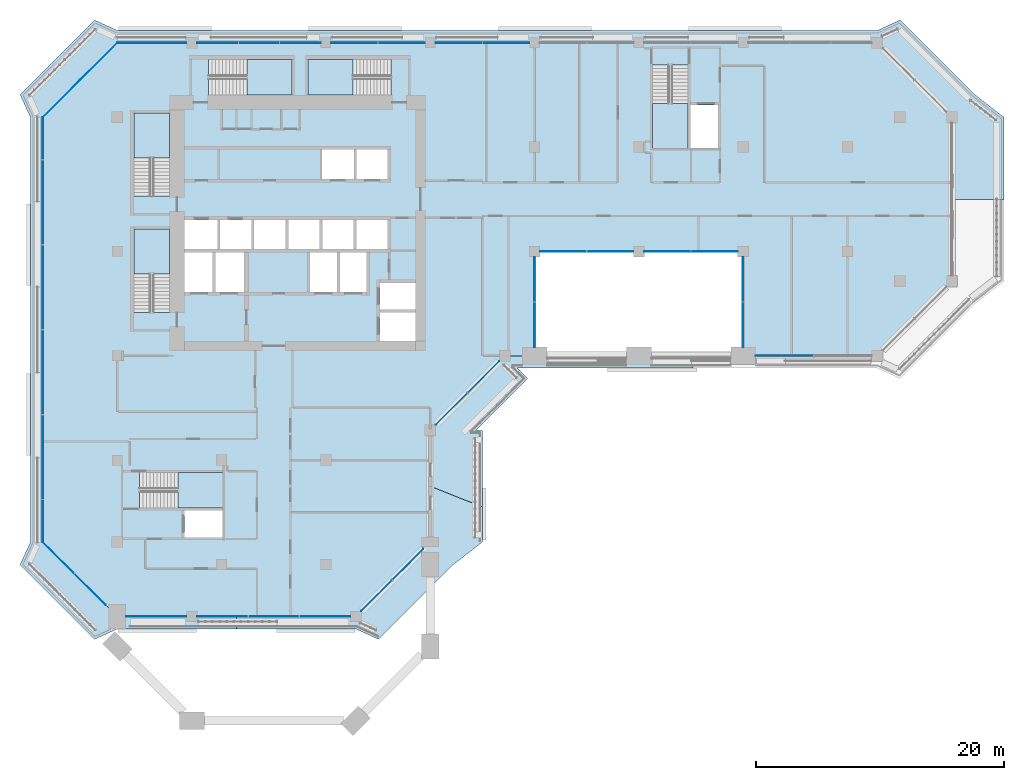
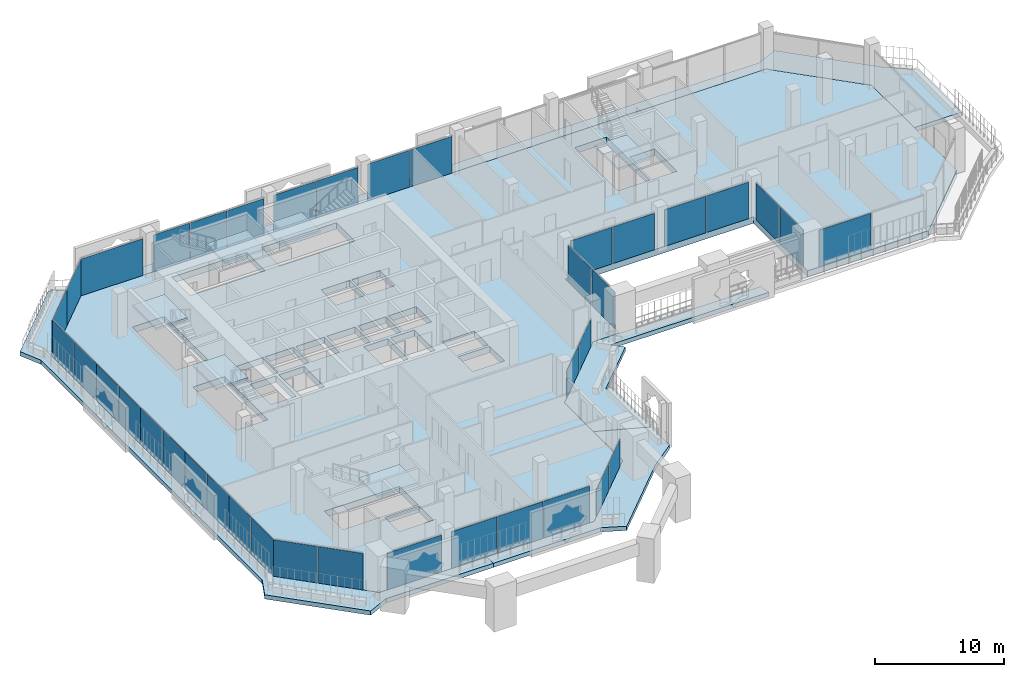
# One storey, part 10 of 23: 39 plates, 10 slabs, 17 elements without a shape of their own.
"""IFC4 building model written with IfcOpenShell, lengths in metres."""

from ifc_helpers import new_model, si_unit, direction, frame, origin, origin_2d, place, context, subcontext, project, spatial, polyline, rectangle, outline, extrude, material, layer, layer_set, type_object, element, aggregate, save


model = new_model("IFC4")

# Units and contexts
model_context = context("Model", 3, precision=1e-05, world=origin(), true_north=direction((0.0, 1.0)))
body_context = subcontext(model_context, "Body", "Model", "MODEL_VIEW")
ifc_project = project(units=[si_unit("LENGTHUNIT", "METRE"), si_unit("AREAUNIT", "SQUARE_METRE"), si_unit("VOLUMEUNIT", "CUBIC_METRE"), si_unit("PLANEANGLEUNIT", "RADIAN"), si_unit("MASSUNIT", "GRAM", prefix="KILO")], contexts=[model_context])

# Site, building, storey
site_placement = place(None, origin())
site = spatial("IfcSite", under=ifc_project, at=site_placement, CompositionType="ELEMENT")
building_placement = place(site_placement, origin())
building = spatial("IfcBuilding", under=site, at=building_placement, Name="Kawkab Arch Medical Tower", CompositionType="ELEMENT")
storey_placement = place(building_placement, frame((0.0, 0.0, 226.39990234375)))
storey = spatial("IfcBuildingStorey", under=building, at=storey_placement, Name="L52", CompositionType="ELEMENT", Elevation=226.39990234375)

# Curtain wall, plate
ifc_material_1 = material(Name="Bronze anodised aluminium curtain wall frame", Category="aluminium")
ifc_layer_1 = layer(ifc_material_1, 0.159912109375)
ifc_layer_set_1 = layer_set([ifc_layer_1], Name="Bronze anodised aluminium curtain wall frame")
curtain_wall_type_1 = type_object("IfcCurtainWallType", Name="CW1 ward curtain wall", PredefinedType="NOTDEFINED", material=ifc_layer_set_1)
placement_1 = place(storey_placement, origin())
curtain_wall_1 = element("IfcCurtainWall", 1, at=placement_1, inside=storey, type_object=curtain_wall_type_1, Name="CW1 Ward curtain wall R05", PredefinedType="NOTDEFINED")
ifc_material_2 = material(Name="Tinted insulating glass, bronze low-e coating", Category="glass")
ifc_layer_2 = layer(ifc_material_2, 0.031982421875)
ifc_layer_set_2 = layer_set([ifc_layer_2], Name="Tinted insulating glass, bronze low-e coating")
plate_type_1 = type_object("IfcPlateType", Name="CW1 glazing unit 32", PredefinedType="CURTAIN_PANEL", material=ifc_layer_set_2)
plate_1_placement = place(storey_placement, frame((53.722412109375, -25.199951171875, 0.0), z_axis=(0.0, 0.0, 1.0), x_axis=(1.0, 0.0, 0.0)))
plate_1 = element("IfcPlate", 2, at=plate_1_placement, type_object=plate_type_1, Name="CW1 glazing unit 1.1", PredefinedType="CURTAIN_PANEL", context=body_context, shape_type="SweptSolid", body=[
    extrude(rectangle(XDim=4.64501953125, YDim=0.031982421875, at=origin_2d()), origin(), (0.0, 0.0, 1.0), 3.47998046875),
])
aggregate(curtain_wall_1, [plate_1])

# Curtain wall, plates
curtain_wall_2 = element("IfcCurtainWall", 3, at=placement_1, inside=storey, type_object=curtain_wall_type_1, Name="CW1 Ward curtain wall R09", PredefinedType="NOTDEFINED")
plate_2_placement = place(storey_placement, frame((31.302490234375, 0.0, 0.0), z_axis=(0.0, 0.0, 1.0), x_axis=(-1.0, 0.0, 0.0)))
plate_2 = element("IfcPlate", 4, at=plate_2_placement, type_object=plate_type_1, Name="CW1 glazing unit 4.1", PredefinedType="CURTAIN_PANEL", context=body_context, shape_type="SweptSolid", body=[
    extrude(rectangle(XDim=3.7451171875, YDim=0.031982421875, at=origin_2d()), origin(), (0.0, 0.0, 1.0), 3.47998046875),
])
plate_3_placement = place(storey_placement, frame((27.49755859375, 0.0, 0.0), z_axis=(0.0, 0.0, 1.0), x_axis=(-1.0, 0.0, 0.0)))
plate_3 = element("IfcPlate", 5, at=plate_3_placement, type_object=plate_type_1, Name="CW1 glazing unit 4.2", PredefinedType="CURTAIN_PANEL", context=body_context, shape_type="SweptSolid", body=[
    extrude(rectangle(XDim=3.7451171875, YDim=0.031982421875, at=origin_2d()), origin(), (0.0, 0.0, 1.0), 3.47998046875),
])
plate_4_placement = place(storey_placement, frame((22.902587890625, 0.0, 0.0), z_axis=(0.0, 0.0, 1.0), x_axis=(-1.0, 0.0, 0.0)))
plate_4 = element("IfcPlate", 6, at=plate_4_placement, type_object=plate_type_1, Name="CW1 glazing unit 5.1", PredefinedType="CURTAIN_PANEL", context=body_context, shape_type="SweptSolid", body=[
    extrude(rectangle(XDim=3.7451171875, YDim=0.031982421875, at=origin_2d()), origin(), (0.0, 0.0, 1.0), 3.47998046875),
])
plate_5_placement = place(storey_placement, frame((19.097412109375, 0.0, 0.0), z_axis=(0.0, 0.0, 1.0), x_axis=(-1.0, 0.0, 0.0)))
plate_5 = element("IfcPlate", 7, at=plate_5_placement, type_object=plate_type_1, Name="CW1 glazing unit 5.2", PredefinedType="CURTAIN_PANEL", context=body_context, shape_type="SweptSolid", body=[
    extrude(rectangle(XDim=3.7451171875, YDim=0.031982421875, at=origin_2d()), origin(), (0.0, 0.0, 1.0), 3.47998046875),
])
plate_6_placement = place(storey_placement, frame((14.73583984375, 0.0, 0.0), z_axis=(0.0, 0.0, 1.0), x_axis=(-1.0, 0.0, 0.0)))
plate_6 = element("IfcPlate", 8, at=plate_6_placement, type_object=plate_type_1, Name="CW1 glazing unit 6.1", PredefinedType="CURTAIN_PANEL", context=body_context, shape_type="SweptSolid", body=[
    extrude(rectangle(XDim=3.2783203125, YDim=0.031982421875, at=origin_2d()), origin(), (0.0, 0.0, 1.0), 3.47998046875),
])
plate_7_placement = place(storey_placement, frame((11.41259765625, 0.0, 0.0), z_axis=(0.0, 0.0, 1.0), x_axis=(-1.0, 0.0, 0.0)))
plate_7 = element("IfcPlate", 9, at=plate_7_placement, type_object=plate_type_1, Name="CW1 glazing unit 6.2", PredefinedType="CURTAIN_PANEL", context=body_context, shape_type="SweptSolid", body=[
    extrude(rectangle(XDim=3.248291015625, YDim=0.031982421875, at=origin_2d()), origin(), (0.0, 0.0, 1.0), 3.47998046875),
])
plate_8_placement = place(storey_placement, frame((8.089111328125, 0.0, 0.0), z_axis=(0.0, 0.0, 1.0), x_axis=(-1.0, 0.0, 0.0)))
plate_8 = element("IfcPlate", 10, at=plate_8_placement, type_object=plate_type_1, Name="CW1 glazing unit 6.3", PredefinedType="CURTAIN_PANEL", context=body_context, shape_type="SweptSolid", body=[
    extrude(rectangle(XDim=3.2783203125, YDim=0.031982421875, at=origin_2d()), origin(), (0.0, 0.0, 1.0), 3.47998046875),
])
plate_9_placement = place(storey_placement, frame((2.77490234375, 0.0, 0.0), z_axis=(0.0, 0.0, 1.0), x_axis=(-1.0, 0.0, 0.0)))
plate_9 = element("IfcPlate", 11, at=plate_9_placement, type_object=plate_type_1, Name="CW1 glazing unit 7.1", PredefinedType="CURTAIN_PANEL", context=body_context, shape_type="SweptSolid", body=[
    extrude(rectangle(XDim=5.550048828125, YDim=0.031982421875, at=origin_2d()), origin(), (0.0, 0.0, 1.0), 3.47998046875),
])
aggregate(curtain_wall_2, [plate_2, plate_3, plate_4, plate_5, plate_6, plate_7, plate_8, plate_9])

curtain_wall_3 = element("IfcCurtainWall", 12, at=placement_1, inside=storey, type_object=curtain_wall_type_1, Name="CW1 Ward curtain wall R11", PredefinedType="NOTDEFINED")
plate_10_placement = place(storey_placement, frame((-6.0, -7.695068359375, 0.0), z_axis=(0.0, 0.0, 1.0), x_axis=(0.0, -1.0, 0.0)))
plate_10 = element("IfcPlate", 13, at=plate_10_placement, type_object=plate_type_1, Name="CW1 glazing unit 1.1", PredefinedType="CURTAIN_PANEL", context=body_context, shape_type="SweptSolid", body=[
    extrude(rectangle(XDim=3.389892578125, YDim=0.031982421875, at=origin_2d()), origin(), (0.0, 0.0, 1.0), 3.47998046875),
])
plate_11_placement = place(storey_placement, frame((-6.0, -11.14501953125, 0.0), z_axis=(0.0, 0.0, 1.0), x_axis=(0.0, -1.0, 0.0)))
plate_11 = element("IfcPlate", 14, at=plate_11_placement, type_object=plate_type_1, Name="CW1 glazing unit 1.2", PredefinedType="CURTAIN_PANEL", context=body_context, shape_type="SweptSolid", body=[
    extrude(rectangle(XDim=3.389892578125, YDim=0.031982421875, at=origin_2d()), origin(), (0.0, 0.0, 1.0), 3.47998046875),
])
plate_12_placement = place(storey_placement, frame((-6.0, -14.534912109375, 0.0), z_axis=(0.0, 0.0, 1.0), x_axis=(0.0, -1.0, 0.0)))
plate_12 = element("IfcPlate", 15, at=plate_12_placement, type_object=plate_type_1, Name="CW1 glazing unit 2.1", PredefinedType="CURTAIN_PANEL", context=body_context, shape_type="SweptSolid", body=[
    extrude(rectangle(XDim=3.389892578125, YDim=0.031982421875, at=origin_2d()), origin(), (0.0, 0.0, 1.0), 3.47998046875),
])
plate_13_placement = place(storey_placement, frame((-6.0, -17.985107421875, 0.0), z_axis=(0.0, 0.0, 1.0), x_axis=(0.0, -1.0, 0.0)))
plate_13 = element("IfcPlate", 16, at=plate_13_placement, type_object=plate_type_1, Name="CW1 glazing unit 2.2", PredefinedType="CURTAIN_PANEL", context=body_context, shape_type="SweptSolid", body=[
    extrude(rectangle(XDim=3.389892578125, YDim=0.031982421875, at=origin_2d()), origin(), (0.0, 0.0, 1.0), 3.47998046875),
])
plate_14_placement = place(storey_placement, frame((-6.0, -21.375, 0.0), z_axis=(0.0, 0.0, 1.0), x_axis=(0.0, -1.0, 0.0)))
plate_14 = element("IfcPlate", 17, at=plate_14_placement, type_object=plate_type_1, Name="CW1 glazing unit 3.1", PredefinedType="CURTAIN_PANEL", context=body_context, shape_type="SweptSolid", body=[
    extrude(rectangle(XDim=3.389892578125, YDim=0.031982421875, at=origin_2d()), origin(), (0.0, 0.0, 1.0), 3.47998046875),
])
plate_15_placement = place(storey_placement, frame((-6.0, -24.824951171875, 0.0), z_axis=(0.0, 0.0, 1.0), x_axis=(0.0, -1.0, 0.0)))
plate_15 = element("IfcPlate", 18, at=plate_15_placement, type_object=plate_type_1, Name="CW1 glazing unit 3.2", PredefinedType="CURTAIN_PANEL", context=body_context, shape_type="SweptSolid", body=[
    extrude(rectangle(XDim=3.389892578125, YDim=0.031982421875, at=origin_2d()), origin(), (0.0, 0.0, 1.0), 3.47998046875),
])
plate_16_placement = place(storey_placement, frame((-6.0, -28.215087890625, 0.0), z_axis=(0.0, 0.0, 1.0), x_axis=(0.0, -1.0, 0.0)))
plate_16 = element("IfcPlate", 19, at=plate_16_placement, type_object=plate_type_1, Name="CW1 glazing unit 4.1", PredefinedType="CURTAIN_PANEL", context=body_context, shape_type="SweptSolid", body=[
    extrude(rectangle(XDim=3.389892578125, YDim=0.031982421875, at=origin_2d()), origin(), (0.0, 0.0, 1.0), 3.47998046875),
])
plate_17_placement = place(storey_placement, frame((-6.0, -31.6650390625, 0.0), z_axis=(0.0, 0.0, 1.0), x_axis=(0.0, -1.0, 0.0)))
plate_17 = element("IfcPlate", 20, at=plate_17_placement, type_object=plate_type_1, Name="CW1 glazing unit 4.2", PredefinedType="CURTAIN_PANEL", context=body_context, shape_type="SweptSolid", body=[
    extrude(rectangle(XDim=3.389892578125, YDim=0.031982421875, at=origin_2d()), origin(), (0.0, 0.0, 1.0), 3.47998046875),
])
plate_18_placement = place(storey_placement, frame((-6.0, -35.054931640625, 0.0), z_axis=(0.0, 0.0, 1.0), x_axis=(0.0, -1.0, 0.0)))
plate_18 = element("IfcPlate", 21, at=plate_18_placement, type_object=plate_type_1, Name="CW1 glazing unit 5.1", PredefinedType="CURTAIN_PANEL", context=body_context, shape_type="SweptSolid", body=[
    extrude(rectangle(XDim=3.389892578125, YDim=0.031982421875, at=origin_2d()), origin(), (0.0, 0.0, 1.0), 3.47998046875),
])
plate_19_placement = place(storey_placement, frame((-6.0, -38.5048828125, 0.0), z_axis=(0.0, 0.0, 1.0), x_axis=(0.0, -1.0, 0.0)))
plate_19 = element("IfcPlate", 22, at=plate_19_placement, type_object=plate_type_1, Name="CW1 glazing unit 5.2", PredefinedType="CURTAIN_PANEL", context=body_context, shape_type="SweptSolid", body=[
    extrude(rectangle(XDim=3.389892578125, YDim=0.031982421875, at=origin_2d()), origin(), (0.0, 0.0, 1.0), 3.47998046875),
])
aggregate(curtain_wall_3, [plate_10, plate_11, plate_12, plate_13, plate_14, plate_15, plate_16, plate_17, plate_18, plate_19])

curtain_wall_4 = element("IfcCurtainWall", 23, at=placement_1, inside=storey, type_object=curtain_wall_type_1, Name="CW1 Ward curtain wall R13", PredefinedType="NOTDEFINED")
plate_20_placement = place(storey_placement, frame((3.125, -46.199951171875, 0.0), z_axis=(0.0, 0.0, 1.0), x_axis=(1.0, 0.0, 0.0)))
plate_20 = element("IfcPlate", 24, at=plate_20_placement, type_object=plate_type_1, Name="CW1 glazing unit 1.1", PredefinedType="CURTAIN_PANEL", context=body_context, shape_type="SweptSolid", body=[
    extrude(rectangle(XDim=4.85009765625, YDim=0.031982421875, at=origin_2d()), origin(), (0.0, 0.0, 1.0), 3.47998046875),
])
plate_21_placement = place(storey_placement, frame((8.485107421875, -46.199951171875, 0.0), z_axis=(0.0, 0.0, 1.0), x_axis=(1.0, 0.0, 0.0)))
plate_21 = element("IfcPlate", 25, at=plate_21_placement, type_object=plate_type_1, Name="CW1 glazing unit 2.1", PredefinedType="CURTAIN_PANEL", context=body_context, shape_type="SweptSolid", body=[
    extrude(rectangle(XDim=4.070068359375, YDim=0.031982421875, at=origin_2d()), origin(), (0.0, 0.0, 1.0), 3.47998046875),
])
plate_22_placement = place(storey_placement, frame((12.60009765625, -46.199951171875, 0.0), z_axis=(0.0, 0.0, 1.0), x_axis=(1.0, 0.0, 0.0)))
plate_22 = element("IfcPlate", 26, at=plate_22_placement, type_object=plate_type_1, Name="CW1 glazing unit 2.2", PredefinedType="CURTAIN_PANEL", context=body_context, shape_type="SweptSolid", body=[
    extrude(rectangle(XDim=4.0400390625, YDim=0.031982421875, at=origin_2d()), origin(), (0.0, 0.0, 1.0), 3.47998046875),
])
plate_23_placement = place(storey_placement, frame((16.715087890625, -46.199951171875, 0.0), z_axis=(0.0, 0.0, 1.0), x_axis=(1.0, 0.0, 0.0)))
plate_23 = element("IfcPlate", 27, at=plate_23_placement, type_object=plate_type_1, Name="CW1 glazing unit 2.3", PredefinedType="CURTAIN_PANEL", context=body_context, shape_type="SweptSolid", body=[
    extrude(rectangle(XDim=4.070068359375, YDim=0.031982421875, at=origin_2d()), origin(), (0.0, 0.0, 1.0), 3.47998046875),
])
aggregate(curtain_wall_4, [plate_20, plate_21, plate_22, plate_23])

ifc_material_3 = material(Name="Bronze anodised aluminium curtain wall frame", Category="aluminium")
ifc_layer_3 = layer(ifc_material_3, 0.159912109375)
ifc_layer_set_3 = layer_set([ifc_layer_3], Name="Bronze anodised aluminium curtain wall frame")
curtain_wall_type_2 = type_object("IfcCurtainWallType", Name="CW2 chamfer curtain wall", PredefinedType="NOTDEFINED", material=ifc_layer_set_3)
curtain_wall_5 = element("IfcCurtainWall", 28, at=placement_1, inside=storey, type_object=curtain_wall_type_2, Name="CW2 Chamfer curtain wall R10", PredefinedType="NOTDEFINED")
ifc_material_4 = material(Name="Tinted insulating glass, bronze low-e coating", Category="glass")
ifc_layer_4 = layer(ifc_material_4, 0.031982421875)
ifc_layer_set_4 = layer_set([ifc_layer_4], Name="Tinted insulating glass, bronze low-e coating")
plate_type_2 = type_object("IfcPlateType", Name="CW2 glazing unit 32", PredefinedType="CURTAIN_PANEL", material=ifc_layer_set_4)
plate_24_placement = place(storey_placement, frame((-1.5, -1.5, 0.0), z_axis=(0.0, 0.0, 1.0), x_axis=(-0.707106781187, -0.707106781187, 0.0)))
plate_24 = element("IfcPlate", 29, at=plate_24_placement, type_object=plate_type_2, Name="CW2 glazing unit 1.1", PredefinedType="CURTAIN_PANEL", context=body_context, shape_type="SweptSolid", body=[
    extrude(rectangle(XDim=4.24267578125, YDim=0.031982421875, at=origin_2d()), origin(), (0.0, 0.0, 1.0), 3.4599609375),
])
plate_25_placement = place(storey_placement, frame((-4.5, -4.5, 0.0), z_axis=(0.0, 0.0, 1.0), x_axis=(-0.707106781187, -0.707106781187, 0.0)))
plate_25 = element("IfcPlate", 30, at=plate_25_placement, type_object=plate_type_2, Name="CW2 glazing unit 2.1", PredefinedType="CURTAIN_PANEL", context=body_context, shape_type="SweptSolid", body=[
    extrude(rectangle(XDim=4.24267578125, YDim=0.031982421875, at=origin_2d()), origin(), (0.0, 0.0, 1.0), 3.4599609375),
])
aggregate(curtain_wall_5, [plate_24, plate_25])

curtain_wall_6 = element("IfcCurtainWall", 31, at=placement_1, inside=storey, type_object=curtain_wall_type_2, Name="CW2 Chamfer curtain wall R12", PredefinedType="NOTDEFINED")
plate_26_placement = place(storey_placement, frame((-4.7431640625, -41.456787109375, 0.0), z_axis=(0.0, 0.0, 1.0), x_axis=(0.707106781187, -0.707106781187, 0.0)))
plate_26 = element("IfcPlate", 32, at=plate_26_placement, type_object=plate_type_2, Name="CW2 glazing unit 1.1", PredefinedType="CURTAIN_PANEL", context=body_context, shape_type="SweptSolid", body=[
    extrude(rectangle(XDim=3.5546875, YDim=0.031982421875, at=origin_2d()), origin(), (0.0, 0.0, 1.0), 3.4599609375),
])
plate_27_placement = place(storey_placement, frame((-2.187255859375, -44.012939453125, 0.0), z_axis=(0.0, 0.0, 1.0), x_axis=(0.707106781187, -0.707106781187, 0.0)))
plate_27 = element("IfcPlate", 33, at=plate_27_placement, type_object=plate_type_2, Name="CW2 glazing unit 1.2", PredefinedType="CURTAIN_PANEL", context=body_context, shape_type="SweptSolid", body=[
    extrude(rectangle(XDim=3.5546875, YDim=0.031982421875, at=origin_2d()), origin(), (0.0, 0.0, 1.0), 3.4599609375),
])
aggregate(curtain_wall_6, [plate_26, plate_27])

curtain_wall_7 = element("IfcCurtainWall", 34, at=placement_1, inside=storey, type_object=curtain_wall_type_2, Name="CW2 Chamfer curtain wall R14", PredefinedType="NOTDEFINED")
plate_28_placement = place(storey_placement, frame((20.884765625, -44.51513671875, 0.0), z_axis=(0.0, 0.0, 1.0), x_axis=(0.707106781187, 0.707106781187, 0.0)))
plate_28 = element("IfcPlate", 35, at=plate_28_placement, type_object=plate_type_2, Name="CW2 glazing unit 1.1", PredefinedType="CURTAIN_PANEL", context=body_context, shape_type="SweptSolid", body=[
    extrude(rectangle(XDim=3.49267578125, YDim=0.031982421875, at=origin_2d()), origin(), (0.0, 0.0, 1.0), 2.56005859375),
])
plate_29_placement = place(storey_placement, frame((23.39697265625, -42.0029296875, 0.0), z_axis=(0.0, 0.0, 1.0), x_axis=(0.707106781187, 0.707106781187, 0.0)))
plate_29 = element("IfcPlate", 36, at=plate_29_placement, type_object=plate_type_2, Name="CW2 glazing unit 1.2", PredefinedType="CURTAIN_PANEL", context=body_context, shape_type="SweptSolid", body=[
    extrude(rectangle(XDim=3.49267578125, YDim=0.031982421875, at=origin_2d()), origin(), (0.0, 0.0, 1.0), 2.56005859375),
])
aggregate(curtain_wall_7, [plate_28, plate_29])

curtain_wall_8 = element("IfcCurtainWall", 37, at=placement_1, inside=storey, type_object=curtain_wall_type_2, Name="CW2 Chamfer curtain wall R16", PredefinedType="NOTDEFINED")
plate_30_placement = place(storey_placement, frame((26.914306640625, -29.485595703125, 0.0), z_axis=(0.0, 0.0, 1.0), x_axis=(0.707106781187, 0.707106781187, 0.0)))
plate_30 = element("IfcPlate", 38, at=plate_30_placement, type_object=plate_type_2, Name="CW2 glazing unit 1.1", PredefinedType="CURTAIN_PANEL", context=body_context, shape_type="SweptSolid", body=[
    extrude(rectangle(XDim=3.576171875, YDim=0.031982421875, at=origin_2d()), origin(), (0.0, 0.0, 1.0), 2.56005859375),
])
plate_31_placement = place(storey_placement, frame((29.485595703125, -26.914306640625, 0.0), z_axis=(0.0, 0.0, 1.0), x_axis=(0.707106781187, 0.707106781187, 0.0)))
plate_31 = element("IfcPlate", 39, at=plate_31_placement, type_object=plate_type_2, Name="CW2 glazing unit 1.2", PredefinedType="CURTAIN_PANEL", context=body_context, shape_type="SweptSolid", body=[
    extrude(rectangle(XDim=3.576171875, YDim=0.031982421875, at=origin_2d()), origin(), (0.0, 0.0, 1.0), 2.56005859375),
])
aggregate(curtain_wall_8, [plate_30, plate_31])

ifc_material_5 = material(Name="Bronze anodised aluminium curtain wall frame", Category="aluminium")
ifc_layer_5 = layer(ifc_material_5, 0.159912109375)
ifc_layer_set_5 = layer_set([ifc_layer_5], Name="Bronze anodised aluminium curtain wall frame")
curtain_wall_type_3 = type_object("IfcCurtainWallType", Name="CW3 sky garden curtain wall", PredefinedType="NOTDEFINED", material=ifc_layer_set_5)
curtain_wall_9 = element("IfcCurtainWall", 40, at=placement_1, inside=storey, type_object=curtain_wall_type_3, Name="CW3 Sky garden curtain wall R02", PredefinedType="NOTDEFINED")
ifc_material_6 = material(Name="Tinted laminated insulating glass, grey-green", Category="glass")
ifc_layer_6 = layer(ifc_material_6, 0.035888671875)
ifc_layer_set_6 = layer_set([ifc_layer_6], Name="Tinted laminated insulating glass, grey-green")
plate_type_3 = type_object("IfcPlateType", Name="CW3 glazing unit 36", PredefinedType="CURTAIN_PANEL", material=ifc_layer_set_6)
plate_32_placement = place(storey_placement, frame((33.60009765625, -22.705078125, 0.0), z_axis=(0.0, 0.0, 1.0), x_axis=(0.0, 1.0, 0.0)))
plate_32 = element("IfcPlate", 41, at=plate_32_placement, type_object=plate_type_3, Name="CW3 glazing unit 1.1", PredefinedType="CURTAIN_PANEL", context=body_context, shape_type="SweptSolid", body=[
    extrude(rectangle(XDim=3.590087890625, YDim=0.035888671875, at=origin_2d()), origin(), (0.0, 0.0, 1.0), 3.4599609375),
])
plate_33_placement = place(storey_placement, frame((33.60009765625, -19.044921875, 0.0), z_axis=(0.0, 0.0, 1.0), x_axis=(0.0, 1.0, 0.0)))
plate_33 = element("IfcPlate", 42, at=plate_33_placement, type_object=plate_type_3, Name="CW3 glazing unit 1.2", PredefinedType="CURTAIN_PANEL", context=body_context, shape_type="SweptSolid", body=[
    extrude(rectangle(XDim=3.590087890625, YDim=0.035888671875, at=origin_2d()), origin(), (0.0, 0.0, 1.0), 3.4599609375),
])
aggregate(curtain_wall_9, [plate_32, plate_33])

curtain_wall_10 = element("IfcCurtainWall", 43, at=placement_1, inside=storey, type_object=curtain_wall_type_3, Name="CW3 Sky garden curtain wall R03", PredefinedType="NOTDEFINED")
plate_34_placement = place(storey_placement, frame((35.907470703125, -16.800048828125, 0.0), z_axis=(0.0, 0.0, 1.0), x_axis=(1.0, 0.0, 0.0)))
plate_34 = element("IfcPlate", 44, at=plate_34_placement, type_object=plate_type_3, Name="CW3 glazing unit 1.1", PredefinedType="CURTAIN_PANEL", context=body_context, shape_type="SweptSolid", body=[
    extrude(rectangle(XDim=3.715087890625, YDim=0.035888671875, at=origin_2d()), origin(), (0.0, 0.0, 1.0), 3.4599609375),
])
plate_35_placement = place(storey_placement, frame((39.6923828125, -16.800048828125, 0.0), z_axis=(0.0, 0.0, 1.0), x_axis=(1.0, 0.0, 0.0)))
plate_35 = element("IfcPlate", 45, at=plate_35_placement, type_object=plate_type_3, Name="CW3 glazing unit 1.2", PredefinedType="CURTAIN_PANEL", context=body_context, shape_type="SweptSolid", body=[
    extrude(rectangle(XDim=3.715087890625, YDim=0.035888671875, at=origin_2d()), origin(), (0.0, 0.0, 1.0), 3.4599609375),
])
plate_36_placement = place(storey_placement, frame((44.3076171875, -16.800048828125, 0.0), z_axis=(0.0, 0.0, 1.0), x_axis=(1.0, 0.0, 0.0)))
plate_36 = element("IfcPlate", 46, at=plate_36_placement, type_object=plate_type_3, Name="CW3 glazing unit 2.1", PredefinedType="CURTAIN_PANEL", context=body_context, shape_type="SweptSolid", body=[
    extrude(rectangle(XDim=3.715087890625, YDim=0.035888671875, at=origin_2d()), origin(), (0.0, 0.0, 1.0), 3.4599609375),
])
plate_37_placement = place(storey_placement, frame((48.092529296875, -16.800048828125, 0.0), z_axis=(0.0, 0.0, 1.0), x_axis=(1.0, 0.0, 0.0)))
plate_37 = element("IfcPlate", 47, at=plate_37_placement, type_object=plate_type_3, Name="CW3 glazing unit 2.2", PredefinedType="CURTAIN_PANEL", context=body_context, shape_type="SweptSolid", body=[
    extrude(rectangle(XDim=3.715087890625, YDim=0.035888671875, at=origin_2d()), origin(), (0.0, 0.0, 1.0), 3.4599609375),
])
aggregate(curtain_wall_10, [plate_34, plate_35, plate_36, plate_37])

curtain_wall_11 = element("IfcCurtainWall", 48, at=placement_1, inside=storey, type_object=curtain_wall_type_3, Name="CW3 Sky garden curtain wall R04", PredefinedType="NOTDEFINED")
plate_38_placement = place(storey_placement, frame((50.39990234375, -19.044921875, 0.0), z_axis=(0.0, 0.0, 1.0), x_axis=(0.0, -1.0, 0.0)))
plate_38 = element("IfcPlate", 49, at=plate_38_placement, type_object=plate_type_3, Name="CW3 glazing unit 1.1", PredefinedType="CURTAIN_PANEL", context=body_context, shape_type="SweptSolid", body=[
    extrude(rectangle(XDim=3.590087890625, YDim=0.035888671875, at=origin_2d()), origin(), (0.0, 0.0, 1.0), 3.4599609375),
])
plate_39_placement = place(storey_placement, frame((50.39990234375, -22.705078125, 0.0), z_axis=(0.0, 0.0, 1.0), x_axis=(0.0, -1.0, 0.0)))
plate_39 = element("IfcPlate", 50, at=plate_39_placement, type_object=plate_type_3, Name="CW3 glazing unit 1.2", PredefinedType="CURTAIN_PANEL", context=body_context, shape_type="SweptSolid", body=[
    extrude(rectangle(XDim=3.590087890625, YDim=0.035888671875, at=origin_2d()), origin(), (0.0, 0.0, 1.0), 3.4599609375),
])
aggregate(curtain_wall_11, [plate_38, plate_39])

# Stair, slab
ifc_material_7 = material(Name="Concrete C40/50", Category="concrete")
stair_type = type_object("IfcStairType", Name="Exit stair 1350", PredefinedType="HALF_TURN_STAIR", material=ifc_material_7)
stair_1 = element("IfcStair", 51, at=placement_1, inside=storey, type_object=stair_type, Name="L52 Exit stair ST1", PredefinedType="HALF_TURN_STAIR")
ifc_material_8 = material(Name="Concrete C40/50", Category="concrete")
ifc_layer_7 = layer(ifc_material_8, 0.199951171875)
ifc_layer_set_7 = layer_set([ifc_layer_7], Name="Concrete C40/50")
slab_type_1 = type_object("IfcSlabType", Name="Exit stair landing 200", PredefinedType="LANDING", material=ifc_layer_set_7)
placement_2 = place(storey_placement, frame((0.0, 0.0, 1.900146484375)))
slab_1 = element("IfcSlab", 52, at=placement_2, type_object=slab_type_1, Name="ST1 landing 1", PredefinedType="LANDING", context=body_context, shape_type="SweptSolid", body=[
    extrude(outline(polyline([(4.199951171875, -9.27001953125), (4.199951171875, -5.64990234375), (1.35009765625, -5.64990234375), (1.35009765625, -9.27001953125), (4.199951171875, -9.27001953125)])), origin(), (0.0, 0.0, 1.0), 0.199951171875),
])
aggregate(stair_1, [slab_1])

stair_2 = element("IfcStair", 53, at=placement_1, inside=storey, type_object=stair_type, Name="L52 Exit stair ST2", PredefinedType="HALF_TURN_STAIR")
slab_2 = element("IfcSlab", 54, at=placement_2, type_object=slab_type_1, Name="ST2 landing 1", PredefinedType="LANDING", context=body_context, shape_type="SweptSolid", body=[
    extrude(outline(polyline([(4.199951171875, -18.6201171875), (4.199951171875, -15.0), (1.35009765625, -15.0), (1.35009765625, -18.6201171875), (4.199951171875, -18.6201171875)])), origin(), (0.0, 0.0, 1.0), 0.199951171875),
])
aggregate(stair_2, [slab_2])

stair_3 = element("IfcStair", 55, at=placement_1, inside=storey, type_object=stair_type, Name="L52 Exit stair ST3", PredefinedType="HALF_TURN_STAIR")
slab_3 = element("IfcSlab", 56, at=placement_2, type_object=slab_type_1, Name="ST3 landing 1", PredefinedType="LANDING", context=body_context, shape_type="SweptSolid", body=[
    extrude(outline(polyline([(10.429931640625, -4.199951171875), (14.050048828125, -4.199951171875), (14.050048828125, -1.35009765625), (10.429931640625, -1.35009765625), (10.429931640625, -4.199951171875)])), origin(), (0.0, 0.0, 1.0), 0.199951171875),
])
aggregate(stair_3, [slab_3])

stair_4 = element("IfcStair", 57, at=placement_1, inside=storey, type_object=stair_type, Name="L52 Exit stair ST4", PredefinedType="HALF_TURN_STAIR")
slab_4 = element("IfcSlab", 58, at=placement_2, type_object=slab_type_1, Name="ST4 landing 1", PredefinedType="LANDING", context=body_context, shape_type="SweptSolid", body=[
    extrude(outline(polyline([(18.969970703125, -1.35009765625), (15.35009765625, -1.35009765625), (15.35009765625, -4.199951171875), (18.969970703125, -4.199951171875), (18.969970703125, -1.35009765625)])), origin(), (0.0, 0.0, 1.0), 0.199951171875),
])
aggregate(stair_4, [slab_4])

stair_5 = element("IfcStair", 59, at=placement_1, inside=storey, type_object=stair_type, Name="L52 Exit stair ST5", PredefinedType="HALF_TURN_STAIR")
slab_5 = element("IfcSlab", 60, at=placement_2, type_object=slab_type_1, Name="ST5 landing 1", PredefinedType="LANDING", context=body_context, shape_type="SweptSolid", body=[
    extrude(outline(polyline([(43.10009765625, -4.8798828125), (43.10009765625, -8.5), (45.949951171875, -8.5), (45.949951171875, -4.8798828125), (43.10009765625, -4.8798828125)])), origin(), (0.0, 0.0, 1.0), 0.199951171875),
])
aggregate(stair_5, [slab_5])

stair_6 = element("IfcStair", 61, at=placement_1, inside=storey, type_object=stair_type, Name="L52 Exit stair ST6", PredefinedType="HALF_TURN_STAIR")
slab_6 = element("IfcSlab", 62, at=placement_2, type_object=slab_type_1, Name="ST6 landing 1", PredefinedType="LANDING", context=body_context, shape_type="SweptSolid", body=[
    extrude(outline(polyline([(4.8798828125, -37.449951171875), (8.5, -37.449951171875), (8.5, -34.60009765625), (4.8798828125, -34.60009765625), (4.8798828125, -37.449951171875)])), origin(), (0.0, 0.0, 1.0), 0.199951171875),
])
aggregate(stair_6, [slab_6])

# Slabs
ifc_material_9 = material(Name="Concrete C45/55", Category="concrete")
ifc_layer_8 = layer(ifc_material_9, 0.60009765625)
ifc_layer_set_8 = layer_set([ifc_layer_8], Name="Concrete C45/55")
slab_type_2 = type_object("IfcSlabType", Name="Flat plate 600 C45/55", PredefinedType="FLOOR", material=ifc_layer_set_8)
slab_7_placement = place(storey_placement, frame((0.0, 0.0, -0.599853515625)))
element("IfcSlab", 63, at=slab_7_placement, inside=storey, type_object=slab_type_2, Name="Floor slab L52", PredefinedType="FLOOR", context=body_context, shape_type="SweptSolid", body=[
    extrude(outline(polyline([(25.199951171875, -31.199951171875), (25.199951171875, -40.199951171875), (19.199951171875, -46.199951171875), (0.0, -46.199951171875), (-6.0, -40.199951171875), (-6.0, -6.0), (0.0, 0.0), (61.199951171875, 0.0), (67.199951171875, -6.0), (67.199951171875, -19.199951171875), (61.199951171875, -25.199951171875), (50.39990234375, -25.199951171875), (50.39990234375, -16.800048828125), (33.60009765625, -16.800048828125), (33.60009765625, -25.199951171875), (31.199951171875, -25.199951171875), (25.199951171875, -31.199951171875)]), holes=[polyline([(5.425048828125, -37.64990234375), (5.425048828125, -39.85009765625), (8.5, -39.85009765625), (8.5, -37.64990234375), (5.425048828125, -37.64990234375)]), polyline([(8.5, -37.449951171875), (8.5, -34.60009765625), (1.800048828125, -34.60009765625), (1.800048828125, -37.449951171875), (8.5, -37.449951171875)]), polyline([(5.39990234375, -20.050048828125), (7.675048828125, -20.050048828125), (7.675048828125, -16.89990234375), (5.39990234375, -16.89990234375), (5.39990234375, -20.050048828125)]), polyline([(10.199951171875, -20.050048828125), (10.199951171875, -16.89990234375), (7.925048828125, -16.89990234375), (7.925048828125, -20.050048828125), (10.199951171875, -20.050048828125)]), polyline([(4.199951171875, -21.699951171875), (4.199951171875, -15.0), (1.35009765625, -15.0), (1.35009765625, -21.699951171875), (4.199951171875, -21.699951171875)]), polyline([(5.39990234375, -16.60009765625), (8.050048828125, -16.60009765625), (8.050048828125, -14.25), (5.39990234375, -14.25), (5.39990234375, -16.60009765625)]), polyline([(8.25, -16.60009765625), (10.800048828125, -16.60009765625), (10.800048828125, -14.25), (8.25, -14.25), (8.25, -16.60009765625)]), polyline([(11.0, -14.25), (11.0, -16.60009765625), (13.52490234375, -16.60009765625), (13.52490234375, -14.25), (11.0, -14.25)]), polyline([(13.77490234375, -16.60009765625), (16.27490234375, -16.60009765625), (16.27490234375, -14.25), (13.77490234375, -14.25), (13.77490234375, -16.60009765625)]), polyline([(4.199951171875, -12.35009765625), (4.199951171875, -5.64990234375), (1.35009765625, -5.64990234375), (1.35009765625, -12.35009765625), (4.199951171875, -12.35009765625)]), polyline([(7.35009765625, -4.199951171875), (14.050048828125, -4.199951171875), (14.050048828125, -1.35009765625), (7.35009765625, -1.35009765625), (7.35009765625, -4.199951171875)]), polyline([(24.0, -21.72509765625), (21.14990234375, -21.72509765625), (21.14990234375, -24.0), (24.0, -24.0), (24.0, -21.72509765625)]), polyline([(24.0, -19.35009765625), (21.14990234375, -19.35009765625), (21.14990234375, -21.47509765625), (24.0, -21.47509765625), (24.0, -19.35009765625)]), polyline([(17.675048828125, -16.89990234375), (15.52490234375, -16.89990234375), (15.52490234375, -20.050048828125), (17.675048828125, -20.050048828125), (17.675048828125, -16.89990234375)]), polyline([(20.050048828125, -20.050048828125), (20.050048828125, -16.89990234375), (17.925048828125, -16.89990234375), (17.925048828125, -20.050048828125), (20.050048828125, -20.050048828125)]), polyline([(19.02490234375, -16.60009765625), (19.02490234375, -14.25), (16.52490234375, -14.25), (16.52490234375, -16.60009765625), (19.02490234375, -16.60009765625)]), polyline([(21.75, -16.60009765625), (21.75, -14.25), (19.27490234375, -14.25), (19.27490234375, -16.60009765625), (21.75, -16.60009765625)]), polyline([(19.050048828125, -8.60009765625), (16.5, -8.60009765625), (16.5, -10.949951171875), (19.050048828125, -10.949951171875), (19.050048828125, -8.60009765625)]), polyline([(21.75, -10.949951171875), (21.75, -8.60009765625), (19.25, -8.60009765625), (19.25, -10.949951171875), (21.75, -10.949951171875)]), polyline([(46.14990234375, -8.5), (48.35009765625, -8.5), (48.35009765625, -5.02490234375), (46.14990234375, -5.02490234375), (46.14990234375, -8.5)]), polyline([(43.10009765625, -1.800048828125), (43.10009765625, -8.5), (45.949951171875, -8.5), (45.949951171875, -1.800048828125), (43.10009765625, -1.800048828125)]), polyline([(22.050048828125, -1.35009765625), (15.35009765625, -1.35009765625), (15.35009765625, -4.199951171875), (22.050048828125, -4.199951171875), (22.050048828125, -1.35009765625)])]), origin(), (0.0, 0.0, 1.0), 0.599853515625),
])
ifc_material_10 = material(Name="Concrete C40/50", Category="concrete")
ifc_layer_9 = layer(ifc_material_10, 0.39990234375)
ifc_layer_set_9 = layer_set([ifc_layer_9], Name="Concrete C40/50")
slab_type_3 = type_object("IfcSlabType", Name="Loggia slab 400", PredefinedType="FLOOR", material=ifc_layer_set_9)
placement_3 = place(storey_placement, frame((0.0, 0.0, -0.39990234375)))
element("IfcSlab", 64, at=placement_3, inside=storey, type_object=slab_type_3, Name="Loggia slab L52.1", PredefinedType="FLOOR", context=body_context, shape_type="SweptSolid", body=[
    extrude(outline(polyline([(19.199951171875, -47.199951171875), (9.60009765625, -47.199951171875), (9.60009765625, -46.200927734375), (19.199951171875, -46.200927734375), (19.199951171875, -46.199951171875), (25.199951171875, -40.199951171875), (25.199951171875, -35.700927734375), (29.39990234375, -37.3798828125), (29.39990234375, -40.199951171875), (27.0380859375, -42.0380859375), (21.0380859375, -48.0380859375), (19.199951171875, -47.199951171875)])), origin(), (0.0, 0.0, 1.0), 0.39990234375),
])
element("IfcSlab", 65, at=placement_3, inside=storey, type_object=slab_type_3, Name="Loggia slab L52.3", PredefinedType="FLOOR", context=body_context, shape_type="SweptSolid", body=[
    extrude(outline(polyline([(33.037109375, -27.0380859375), (28.8759765625, -31.199951171875), (29.39990234375, -31.199951171875), (29.39990234375, -37.37890625), (25.199951171875, -35.699951171875), (25.199951171875, -31.199951171875), (31.199951171875, -25.199951171875), (46.199951171875, -25.199951171875), (46.365966796875, -26.199951171875), (32.198974609375, -26.199951171875), (33.037109375, -27.0380859375)])), origin(), (0.0, 0.0, 1.0), 0.39990234375),
])
element("IfcSlab", 66, at=placement_3, inside=storey, type_object=slab_type_3, Name="Loggia slab L52.5", PredefinedType="FLOOR", context=body_context, shape_type="SweptSolid", body=[
    extrude(outline(polyline([(-7.837890625, -42.037109375), (-7.0, -40.199951171875), (-7.0, -6.0), (-7.837890625, -4.1630859375), (-1.8369140625, 1.837890625), (0.0, 1.0), (61.199951171875, 1.0), (63.037109375, 1.837890625), (69.0380859375, -4.162109375), (71.39892578125, -5.9990234375), (71.39892578125, -6.0009765625), (71.39990234375, -6.0009765625), (71.39990234375, -12.59912109375), (71.39892578125, -12.59912109375), (71.39892578125, -12.60009765625), (67.201904296875, -12.60009765625), (67.201904296875, -12.59912109375), (67.200927734375, -12.59912109375), (67.200927734375, -6.0), (61.199951171875, 0.0009765625), (0.0, 0.0009765625), (-6.0, -6.0), (-6.0, -40.199951171875), (0.0, -46.200927734375), (9.59912109375, -46.200927734375), (9.59912109375, -46.201904296875), (9.60009765625, -46.201904296875), (9.60009765625, -47.198974609375), (9.59912109375, -47.198974609375), (9.59912109375, -47.199951171875), (0.0, -47.199951171875), (-1.8369140625, -48.0380859375), (-7.837890625, -42.037109375)])), origin(), (0.0, 0.0, 1.0), 0.39990234375),
])

save(model, "model.ifc")
